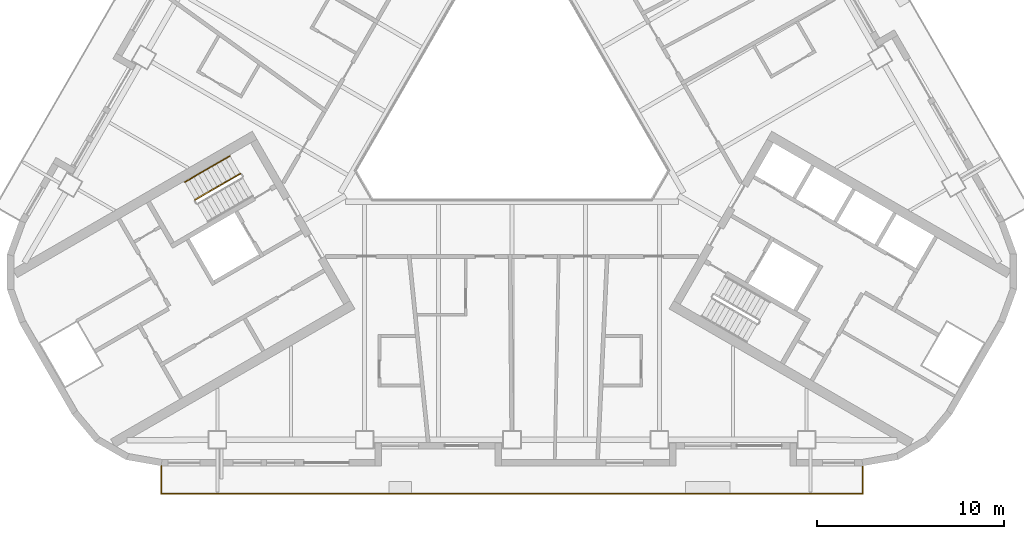
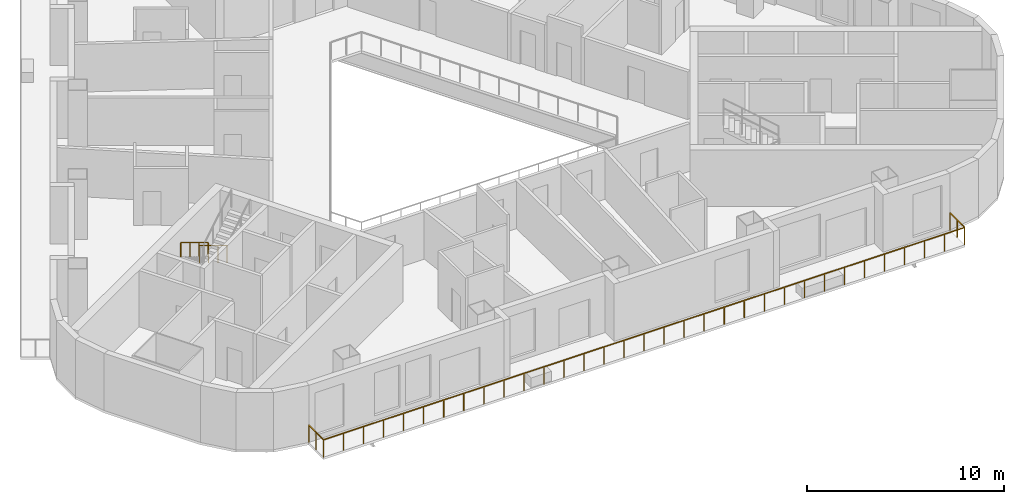
# One storey, part 10 of 14: 3 railings.
"""IFC4 building model written with IfcOpenShell, lengths in metres."""

from ifc_helpers import new_model, si_unit, direction, frame, origin, origin_2d, place, context, subcontext, project, spatial, rectangle, circle, extrude, material, type_object, element, save


model = new_model("IFC4")

# Units and contexts
model_context = context("Model", 3, precision=1e-05, world=origin(), true_north=direction((0.0, 1.0)))
body_context = subcontext(model_context, "Body", "Model", "MODEL_VIEW")
ifc_project = project(units=[si_unit("LENGTHUNIT", "METRE"), si_unit("AREAUNIT", "SQUARE_METRE"), si_unit("VOLUMEUNIT", "CUBIC_METRE"), si_unit("PLANEANGLEUNIT", "RADIAN"), si_unit("MASSUNIT", "GRAM", prefix="KILO")], contexts=[model_context])

# Site, building, storey
site_placement = place(None, origin())
site = spatial("IfcSite", under=ifc_project, at=site_placement, CompositionType="ELEMENT")
building_placement = place(site_placement, origin())
building = spatial("IfcBuilding", under=site, at=building_placement, Name="Apuvela Tower Hotel", CompositionType="ELEMENT")
storey_placement = place(building_placement, frame((0.0, 0.0, 72.39990234375)))
storey = spatial("IfcBuildingStorey", under=building, at=storey_placement, Name="L15", CompositionType="ELEMENT", Elevation=72.39990234375)

# Railings
ifc_material_1 = material(Name="Steel S275 balustrade", Category="steel")
railing_type_1 = type_object("IfcRailingType", Name="COR-GUARD-1100", PredefinedType="GUARDRAIL", material=ifc_material_1)
railing_1_placement = place(storey_placement, frame((-14.569091796875, -3.9658203125, 0.168212890625)))
element("IfcRailing", 1, at=railing_1_placement, inside=storey, type_object=railing_type_1, Name="L15 ST2 stair guard 1", PredefinedType="GUARDRAIL", context=body_context, shape_type="SweptSolid", body=[
    extrude(rectangle(XDim=0.048095703125, YDim=0.048095703125, at=origin_2d()), frame((0.0, 0.0, 1.076171875), z_axis=(-0.742390482028, -0.42860119049, 0.514934356695), x_axis=(0.49998411664, -0.866034573852, 0.0)), (0.0, 0.0, 1.0), 3.26611328125),
    extrude(rectangle(XDim=0.0419921875, YDim=0.0419921875, at=origin_2d()), origin(), (0.0, 0.0, 1.0), 1.052001953125),
    extrude(rectangle(XDim=0.0419921875, YDim=0.0419921875, at=origin_2d()), frame((-0.808349609375, -0.466552734375, 0.560546875)), (0.0, 0.0, 1.0), 1.052001953125),
    extrude(rectangle(XDim=0.0419921875, YDim=0.0419921875, at=origin_2d()), frame((-1.616455078125, -0.933349609375, 1.121337890625)), (0.0, 0.0, 1.0), 1.052001953125),
    extrude(rectangle(XDim=0.0419921875, YDim=0.0419921875, at=origin_2d()), frame((-2.4248046875, -1.39990234375, 1.681884765625)), (0.0, 0.0, 1.0), 1.052001953125),
])
ifc_material_2 = material(Name="Stainless steel 316 handrail", Category="steel")
railing_type_2 = type_object("IfcRailingType", Name="COR-HANDRAIL-900", PredefinedType="HANDRAIL", material=ifc_material_2)
railing_2_placement = place(storey_placement, frame((-15.118896484375, -3.01318359375, 0.168212890625)))
element("IfcRailing", 2, at=railing_2_placement, inside=storey, type_object=railing_type_2, Name="L15 ST2 stair handrail 1", PredefinedType="HANDRAIL", context=body_context, shape_type="SweptSolid", body=[
    extrude(circle(Radius=0.02392578125, at=origin_2d()), frame((0.0, 0.0, 0.8759765625), z_axis=(-0.742424030051, -0.428577407461, 0.514905783049), x_axis=(0.49994636267, -0.866056369097, 0.0)), (0.0, 0.0, 1.0), 3.266357421875),
    extrude(rectangle(XDim=0.0419921875, YDim=0.0419921875, at=origin_2d()), origin(), (0.0, 0.0, 1.0), 0.851806640625),
    extrude(rectangle(XDim=0.0419921875, YDim=0.0419921875, at=origin_2d()), frame((-0.808349609375, -0.466552734375, 0.560546875)), (0.0, 0.0, 1.0), 0.851806640625),
    extrude(rectangle(XDim=0.0419921875, YDim=0.0419921875, at=origin_2d()), frame((-1.61669921875, -0.933349609375, 1.121337890625)), (0.0, 0.0, 1.0), 0.851806640625),
    extrude(rectangle(XDim=0.0419921875, YDim=0.0419921875, at=origin_2d()), frame((-2.425048828125, -1.39990234375, 1.681884765625)), (0.0, 0.0, 1.0), 0.851806640625),
])
ifc_material_3 = material(Name="Stainless steel 316 rail with laminated glass infill", Category="steel")
railing_type_3 = type_object("IfcRailingType", Name="ENV-GUARD-1100", PredefinedType="GUARDRAIL", material=ifc_material_3)
railing_3_placement = place(storey_placement, frame((-18.81591796875, -19.6298828125, 0.0)))
element("IfcRailing", 3, at=railing_3_placement, inside=storey, type_object=railing_type_3, Name="Balcony guard S L15", PredefinedType="GUARDRAIL", context=body_context, shape_type="SweptSolid", body=[
    extrude(rectangle(XDim=0.050048828125, YDim=0.050048828125, at=origin_2d()), frame((0.0, 0.0, 1.0751953125), z_axis=(0.0, -1.0, 0.0), x_axis=(1.0, 0.0, 0.0)), (0.0, 0.0, 1.0), 1.5),
    extrude(rectangle(XDim=0.050048828125, YDim=0.050048828125, at=origin_2d()), frame((0.0, -1.5, 1.0751953125), z_axis=(1.0, 0.0, 0.0), x_axis=(0.0, 1.0, 0.0)), (0.0, 0.0, 1.0), 37.6318359375),
    extrude(rectangle(XDim=0.050048828125, YDim=0.050048828125, at=origin_2d()), frame((37.6318359375, -1.5, 1.0751953125), z_axis=(0.0, 1.0, 0.0), x_axis=(-1.0, 0.0, 0.0)), (0.0, 0.0, 1.0), 1.5),
    extrude(rectangle(XDim=0.0400390625, YDim=0.0400390625, at=origin_2d()), origin(), (0.0, 0.0, 1.0), 1.050048828125),
    extrude(rectangle(XDim=0.0400390625, YDim=0.0400390625, at=origin_2d()), frame((0.0, -0.75, 0.0)), (0.0, 0.0, 1.0), 1.050048828125),
    extrude(rectangle(XDim=0.0400390625, YDim=0.0400390625, at=origin_2d()), frame((0.0, -1.5, 0.0)), (0.0, 0.0, 1.0), 1.050048828125),
    extrude(rectangle(XDim=0.0400390625, YDim=0.0400390625, at=origin_2d()), frame((1.176025390625, -1.5, 0.0)), (0.0, 0.0, 1.0), 1.050048828125),
    extrude(rectangle(XDim=0.0400390625, YDim=0.0400390625, at=origin_2d()), frame((2.35205078125, -1.5, 0.0)), (0.0, 0.0, 1.0), 1.050048828125),
    extrude(rectangle(XDim=0.0400390625, YDim=0.0400390625, at=origin_2d()), frame((3.528076171875, -1.5, 0.0)), (0.0, 0.0, 1.0), 1.050048828125),
    extrude(rectangle(XDim=0.0400390625, YDim=0.0400390625, at=origin_2d()), frame((4.7041015625, -1.5, 0.0)), (0.0, 0.0, 1.0), 1.050048828125),
    extrude(rectangle(XDim=0.0400390625, YDim=0.0400390625, at=origin_2d()), frame((5.8798828125, -1.5, 0.0)), (0.0, 0.0, 1.0), 1.050048828125),
    extrude(rectangle(XDim=0.0400390625, YDim=0.0400390625, at=origin_2d()), frame((7.055908203125, -1.5, 0.0)), (0.0, 0.0, 1.0), 1.050048828125),
    extrude(rectangle(XDim=0.0400390625, YDim=0.0400390625, at=origin_2d()), frame((8.23193359375, -1.5, 0.0)), (0.0, 0.0, 1.0), 1.050048828125),
    extrude(rectangle(XDim=0.0400390625, YDim=0.0400390625, at=origin_2d()), frame((9.407958984375, -1.5, 0.0)), (0.0, 0.0, 1.0), 1.050048828125),
    extrude(rectangle(XDim=0.0400390625, YDim=0.0400390625, at=origin_2d()), frame((10.583984375, -1.5, 0.0)), (0.0, 0.0, 1.0), 1.050048828125),
    extrude(rectangle(XDim=0.0400390625, YDim=0.0400390625, at=origin_2d()), frame((11.760009765625, -1.5, 0.0)), (0.0, 0.0, 1.0), 1.050048828125),
    extrude(rectangle(XDim=0.0400390625, YDim=0.0400390625, at=origin_2d()), frame((12.93603515625, -1.5, 0.0)), (0.0, 0.0, 1.0), 1.050048828125),
    extrude(rectangle(XDim=0.0400390625, YDim=0.0400390625, at=origin_2d()), frame((14.11181640625, -1.5, 0.0)), (0.0, 0.0, 1.0), 1.050048828125),
    extrude(rectangle(XDim=0.0400390625, YDim=0.0400390625, at=origin_2d()), frame((15.287841796875, -1.5, 0.0)), (0.0, 0.0, 1.0), 1.050048828125),
    extrude(rectangle(XDim=0.0400390625, YDim=0.0400390625, at=origin_2d()), frame((16.4638671875, -1.5, 0.0)), (0.0, 0.0, 1.0), 1.050048828125),
    extrude(rectangle(XDim=0.0400390625, YDim=0.0400390625, at=origin_2d()), frame((17.639892578125, -1.5, 0.0)), (0.0, 0.0, 1.0), 1.050048828125),
    extrude(rectangle(XDim=0.0400390625, YDim=0.0400390625, at=origin_2d()), frame((18.81591796875, -1.5, 0.0)), (0.0, 0.0, 1.0), 1.050048828125),
    extrude(rectangle(XDim=0.0400390625, YDim=0.0400390625, at=origin_2d()), frame((19.991943359375, -1.5, 0.0)), (0.0, 0.0, 1.0), 1.050048828125),
    extrude(rectangle(XDim=0.0400390625, YDim=0.0400390625, at=origin_2d()), frame((21.16796875, -1.5, 0.0)), (0.0, 0.0, 1.0), 1.050048828125),
    extrude(rectangle(XDim=0.0400390625, YDim=0.0400390625, at=origin_2d()), frame((22.343994140625, -1.5, 0.0)), (0.0, 0.0, 1.0), 1.050048828125),
    extrude(rectangle(XDim=0.0400390625, YDim=0.0400390625, at=origin_2d()), frame((23.52001953125, -1.5, 0.0)), (0.0, 0.0, 1.0), 1.050048828125),
    extrude(rectangle(XDim=0.0400390625, YDim=0.0400390625, at=origin_2d()), frame((24.69580078125, -1.5, 0.0)), (0.0, 0.0, 1.0), 1.050048828125),
    extrude(rectangle(XDim=0.0400390625, YDim=0.0400390625, at=origin_2d()), frame((25.871826171875, -1.5, 0.0)), (0.0, 0.0, 1.0), 1.050048828125),
    extrude(rectangle(XDim=0.0400390625, YDim=0.0400390625, at=origin_2d()), frame((27.0478515625, -1.5, 0.0)), (0.0, 0.0, 1.0), 1.050048828125),
    extrude(rectangle(XDim=0.0400390625, YDim=0.0400390625, at=origin_2d()), frame((28.223876953125, -1.5, 0.0)), (0.0, 0.0, 1.0), 1.050048828125),
    extrude(rectangle(XDim=0.0400390625, YDim=0.0400390625, at=origin_2d()), frame((29.39990234375, -1.5, 0.0)), (0.0, 0.0, 1.0), 1.050048828125),
    extrude(rectangle(XDim=0.0400390625, YDim=0.0400390625, at=origin_2d()), frame((30.575927734375, -1.5, 0.0)), (0.0, 0.0, 1.0), 1.050048828125),
    extrude(rectangle(XDim=0.0400390625, YDim=0.0400390625, at=origin_2d()), frame((31.751953125, -1.5, 0.0)), (0.0, 0.0, 1.0), 1.050048828125),
    extrude(rectangle(XDim=0.0400390625, YDim=0.0400390625, at=origin_2d()), frame((32.927734375, -1.5, 0.0)), (0.0, 0.0, 1.0), 1.050048828125),
    extrude(rectangle(XDim=0.0400390625, YDim=0.0400390625, at=origin_2d()), frame((34.103759765625, -1.5, 0.0)), (0.0, 0.0, 1.0), 1.050048828125),
    extrude(rectangle(XDim=0.0400390625, YDim=0.0400390625, at=origin_2d()), frame((35.27978515625, -1.5, 0.0)), (0.0, 0.0, 1.0), 1.050048828125),
    extrude(rectangle(XDim=0.0400390625, YDim=0.0400390625, at=origin_2d()), frame((36.455810546875, -1.5, 0.0)), (0.0, 0.0, 1.0), 1.050048828125),
    extrude(rectangle(XDim=0.0400390625, YDim=0.0400390625, at=origin_2d()), frame((37.6318359375, -1.5, 0.0)), (0.0, 0.0, 1.0), 1.050048828125),
    extrude(rectangle(XDim=0.0400390625, YDim=0.0400390625, at=origin_2d()), frame((37.6318359375, -0.75, 0.0)), (0.0, 0.0, 1.0), 1.050048828125),
    extrude(rectangle(XDim=0.0400390625, YDim=0.0400390625, at=origin_2d()), frame((37.6318359375, 0.0, 0.0)), (0.0, 0.0, 1.0), 1.050048828125),
])

save(model, "model.ifc")
